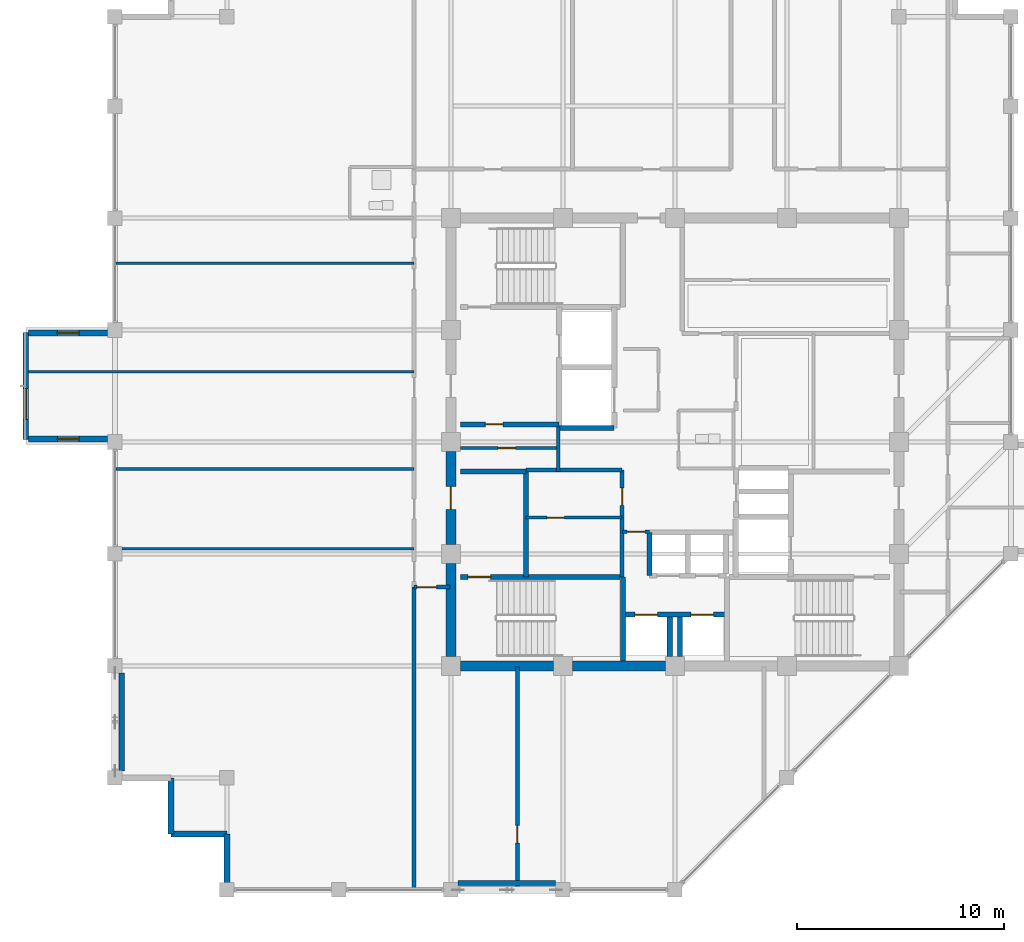
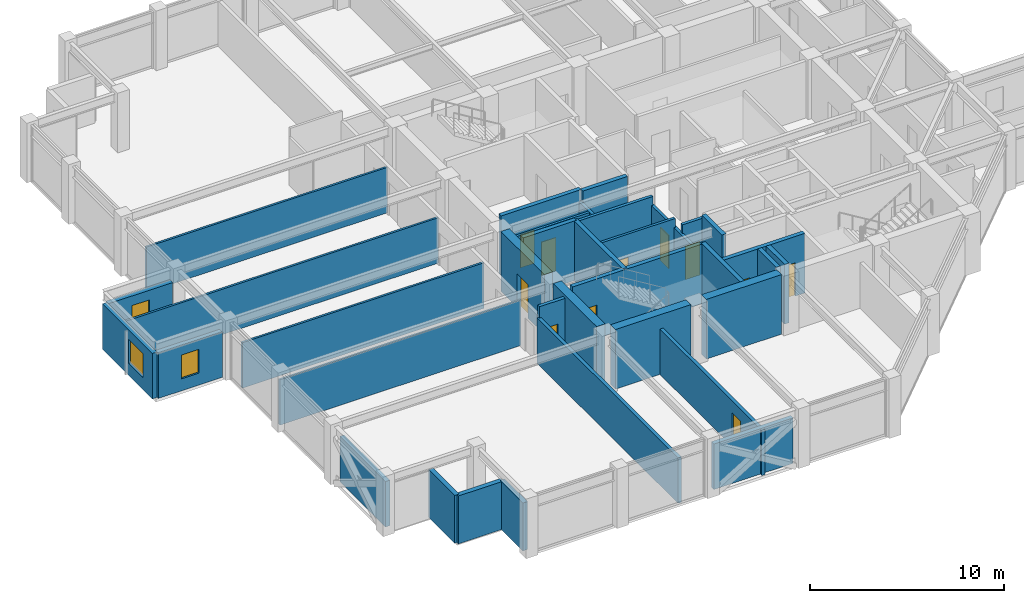
# One storey, part 25 of 31: 35 walls, 11 doors, 3 windows, 14 openings.
"""IFC4 building model written with IfcOpenShell, lengths in metres."""

from ifc_helpers import new_model, si_unit, direction, frame, frame_2d, origin, place, context, subcontext, project, spatial, rectangle, extrude, material, layer, layer_set, type_object, element, fill, save


model = new_model("IFC4")

# Units and contexts
model_context = context("Model", 3, precision=1e-05, world=origin(), true_north=direction((0.0, 1.0)))
body_context = subcontext(model_context, "Body", "Model", "MODEL_VIEW")
ifc_project = project(units=[si_unit("LENGTHUNIT", "METRE"), si_unit("AREAUNIT", "SQUARE_METRE"), si_unit("VOLUMEUNIT", "CUBIC_METRE"), si_unit("PLANEANGLEUNIT", "RADIAN"), si_unit("MASSUNIT", "GRAM", prefix="KILO")], contexts=[model_context])

# Site, building, storey
site_placement = place(None, origin())
site = spatial("IfcSite", under=ifc_project, at=site_placement, CompositionType="ELEMENT")
building_placement = place(site_placement, origin())
building = spatial("IfcBuilding", under=site, at=building_placement, Name="Surkhivell Harbour Commons", CompositionType="ELEMENT")
storey_placement = place(building_placement, frame((0.0, 0.0, 318.75)))
storey = spatial("IfcBuildingStorey", under=building, at=storey_placement, Name="L83", CompositionType="ELEMENT", Elevation=318.75)

# Walls
ifc_material_1 = material(Name="Concrete C50/60", Category="concrete")
ifc_layer_1 = layer(ifc_material_1, 0.5)
ifc_layer_set_1 = layer_set([ifc_layer_1], Name="Concrete C50/60")
wall_type_1 = type_object("IfcWallType", Name="WAL-CORE-500", PredefinedType="SHEAR", material=ifc_layer_set_1)
for number, where, z_axis, x_axis, name in (
    (1, (-10.340087890625, -10.800048828125, 0.0), (0.0, 0.0, 1.0), (1.0, 0.0, 0.0), "L83 Core Shear Wall South 1"),
    (2, (-10.800048828125, -10.340087890625, 0.0), (0.0, 0.0, 1.0), (0.0, 1.0, 0.0), "L83 Core Shear Wall West 1"),
    (3, (-4.93994140625, -10.800048828125, 0.0), (0.0, 0.0, 1.0), (1.0, 0.0, 0.0), "L83 Core Shear Wall South 2"),
):
    element("IfcWall", number, at=place(storey_placement, frame(where, z_axis=z_axis, x_axis=x_axis)), inside=storey, type_object=wall_type_1, Name=name, PredefinedType="SHEAR", context=body_context, shape_type="SweptSolid", body=[
        extrude(rectangle(XDim=4.47998046875, YDim=0.5, at=frame_2d((2.239990234375, 0.0))), origin(), (0.0, 0.0, 1.0), 3.75),
    ])

# Wall, opening, door
wall_1_placement = place(storey_placement, frame((-10.800048828125, -4.93994140625, 0.0), z_axis=(0.0, 0.0, 1.0), x_axis=(0.0, 1.0, 0.0)))
wall_1 = element("IfcWall", 4, at=wall_1_placement, inside=storey, type_object=wall_type_1, Name="L83 Core Shear Wall West 2", PredefinedType="SHEAR", context=body_context, shape_type="SweptSolid", body=[
    extrude(rectangle(XDim=4.47998046875, YDim=0.5, at=frame_2d((2.239990234375, 0.0))), origin(), (0.0, 0.0, 1.0), 3.75),
])
opening_1_placement = place(wall_1_placement, frame((1.68994140625, 0.0, 0.0)))
opening_1 = element("IfcOpeningElement", 5, at=opening_1_placement, cuts=wall_1, Name="Opening ID-2", PredefinedType="OPENING", context=body_context, shape_type="SweptSolid", body=[
    extrude(rectangle(XDim=1.10009765625, YDim=2.10009765625, at=frame_2d((0.550048828125, 1.050048828125))), frame((0.0, 0.260009765625, 0.0), z_axis=(0.0, -1.0, 0.0), x_axis=(1.0, 0.0, 0.0)), (0.0, 0.0, 1.0), 0.52001953125),
])
ifc_material_2 = material(Name="Hardwood-veneered fire-rated door leaf", Category="wood")
door_type_1 = type_object("IfcDoorType", Name="DOR-FD60-1100", OperationType="NOTDEFINED", PredefinedType="DOOR", material=ifc_material_2)
door_1_placement = place(opening_1_placement, origin())
door_1 = element("IfcDoor", 6, at=door_1_placement, inside=storey, type_object=door_type_1, Name="L83 Stair 3 Lobby Corridor Door", OperationType="SINGLE_SWING_LEFT", OverallHeight=2.10009765625, OverallWidth=1.10009765625, PredefinedType="DOOR", context=body_context, shape_type="SweptSolid", body=[
    extrude(rectangle(XDim=1.10009765625, YDim=2.10009765625, at=frame_2d((0.550048828125, 1.050048828125))), frame((0.0, 0.02490234375, 0.0), z_axis=(0.0, -1.0, 0.0), x_axis=(1.0, 0.0, 0.0)), (0.0, 0.0, 1.0), 0.050048828125),
])
fill(opening_1, door_1)

# Walls
ifc_material_3 = material(Name="Pale-metal insulated precast concrete C45/55", Category="concrete")
ifc_layer_2 = layer(ifc_material_3, 0.260009765625)
ifc_layer_set_2 = layer_set([ifc_layer_2], Name="Pale-metal insulated precast concrete C45/55")
wall_type_2 = type_object("IfcWallType", Name="WAL-EXT-MTL260", PredefinedType="STANDARD", material=ifc_layer_set_2)
wall_2_placement = place(storey_placement, frame((-10.451904296875, -21.264892578125, 0.0), z_axis=(0.0, 0.0, 1.0), x_axis=(1.0, 0.0, 0.0)))
element("IfcWall", 7, at=wall_2_placement, inside=storey, type_object=wall_type_2, Name="L83 Braced-Bay Insulated Spandrel Backing S", PredefinedType="STANDARD", context=body_context, shape_type="SweptSolid", body=[
    extrude(rectangle(XDim=4.703857421875, YDim=0.260009765625, at=frame_2d((2.35205078125, 0.0))), origin(), (0.0, 0.0, 1.0), 2.85693359375),
])
wall_3_placement = place(storey_placement, frame((-26.6650390625, -15.85205078125, 0.0), z_axis=(0.0, 0.0, 1.0), x_axis=(0.0, 1.0, 0.0)))
element("IfcWall", 8, at=wall_3_placement, inside=storey, type_object=wall_type_2, Name="L83 Braced-Bay Insulated Spandrel Backing W", PredefinedType="STANDARD", context=body_context, shape_type="SweptSolid", body=[
    extrude(rectangle(XDim=4.7041015625, YDim=0.260009765625, at=frame_2d((2.35205078125, 0.0))), origin(), (0.0, 0.0, 1.0), 2.85693359375),
])

# Wall, opening, window
ifc_material_4 = material(Name="Terracotta-clad reinforced concrete C45/55", Category="masonry")
ifc_layer_3 = layer(ifc_material_4, 0.280029296875)
ifc_layer_set_3 = layer_set([ifc_layer_3], Name="Terracotta-clad reinforced concrete C45/55")
wall_type_3 = type_object("IfcWallType", Name="WAL-EXT-TER280", PredefinedType="STANDARD", material=ifc_layer_set_3)
wall_4_placement = place(storey_placement, frame((-31.300048828125, 5.280029296875, 0.0), z_axis=(0.0, 0.0, 1.0), x_axis=(0.0, -1.0, 0.0)))
wall_4 = element("IfcWall", 9, at=wall_4_placement, inside=storey, type_object=wall_type_3, Name="L83 Coloured Box Front Wall 02", PredefinedType="STANDARD", context=body_context, shape_type="SweptSolid", body=[
    extrude(rectangle(XDim=5.159912109375, YDim=0.280029296875, at=frame_2d((2.580078125, 0.0))), origin(), (0.0, 0.0, 1.0), 2.85693359375),
])
opening_2_placement = place(wall_4_placement, frame((2.68994140625, 0.0, 0.75)))
opening_2 = element("IfcOpeningElement", 10, at=opening_2_placement, cuts=wall_4, Name="Opening WN-13", PredefinedType="OPENING", context=body_context, shape_type="SweptSolid", body=[
    extrude(rectangle(XDim=1.5, YDim=1.5, at=frame_2d((0.75, 0.75))), frame((0.0, 0.14990234375, 0.0), z_axis=(0.0, -1.0, 0.0), x_axis=(1.0, 0.0, 0.0)), (0.0, 0.0, 1.0), 0.300048828125),
])
ifc_material_5 = material(Name="Thermal-break aluminium frame and double low-E glazing", Category="aluminium")
window_type_1 = type_object("IfcWindowType", Name="WIN-BOX-1500x1500", PartitioningType="SINGLE_PANEL", PredefinedType="WINDOW", material=ifc_material_5)
window_1_placement = place(opening_2_placement, origin())
window_1 = element("IfcWindow", 11, at=window_1_placement, inside=storey, type_object=window_type_1, Name="L83 Coloured Box Square Window 02-1", OverallHeight=1.5, OverallWidth=1.5, PartitioningType="SINGLE_PANEL", PredefinedType="WINDOW", context=body_context, shape_type="SweptSolid", body=[
    extrude(rectangle(XDim=1.5, YDim=1.5, at=frame_2d((0.75, 0.75))), frame((0.0, 0.030029296875, 0.0), z_axis=(0.0, -1.0, 0.0), x_axis=(1.0, 0.0, 0.0)), (0.0, 0.0, 1.0), 0.06005859375),
])
fill(opening_2, window_1)

wall_5_placement = place(storey_placement, frame((-31.159912109375, 0.139892578125, 0.0), z_axis=(0.0, 0.0, 1.0), x_axis=(1.0, 0.0, 0.0)))
wall_5 = element("IfcWall", 12, at=wall_5_placement, inside=storey, type_object=wall_type_3, Name="L83 Coloured Box Return Wall 02S", PredefinedType="STANDARD", context=body_context, shape_type="SweptSolid", body=[
    extrude(rectangle(XDim=3.805908203125, YDim=0.280029296875, at=frame_2d((1.90283203125, 0.0))), origin(), (0.0, 0.0, 1.0), 2.85693359375),
])
opening_3_placement = place(wall_5_placement, frame((1.3779296875, 0.0, 0.75)))
opening_3 = element("IfcOpeningElement", 13, at=opening_3_placement, cuts=wall_5, Name="Opening WN-11", PredefinedType="OPENING", context=body_context, shape_type="SweptSolid", body=[
    extrude(rectangle(XDim=1.050048828125, YDim=1.5, at=frame_2d((0.52490234375, 0.75))), frame((0.0, 0.14990234375, 0.0), z_axis=(0.0, -1.0, 0.0), x_axis=(1.0, 0.0, 0.0)), (0.0, 0.0, 1.0), 0.300048828125),
])
window_type_2 = type_object("IfcWindowType", Name="WIN-SER-1050x1500", PartitioningType="SINGLE_PANEL", PredefinedType="WINDOW", material=ifc_material_5)
window_2_placement = place(opening_3_placement, origin())
window_2 = element("IfcWindow", 14, at=window_2_placement, inside=storey, type_object=window_type_2, Name="L83 Coloured Box Return Window 02S", OverallHeight=1.5, OverallWidth=1.050048828125, PartitioningType="SINGLE_PANEL", PredefinedType="WINDOW", context=body_context, shape_type="SweptSolid", body=[
    extrude(rectangle(XDim=1.050048828125, YDim=1.5, at=frame_2d((0.52490234375, 0.75))), frame((0.0, 0.030029296875, 0.0), z_axis=(0.0, -1.0, 0.0), x_axis=(1.0, 0.0, 0.0)), (0.0, 0.0, 1.0), 0.06005859375),
])
fill(opening_3, window_2)

wall_6_placement = place(storey_placement, frame((-31.159912109375, 5.260009765625, 0.0), z_axis=(0.0, 0.0, 1.0), x_axis=(1.0, 0.0, 0.0)))
wall_6 = element("IfcWall", 15, at=wall_6_placement, inside=storey, type_object=wall_type_3, Name="L83 Coloured Box Return Wall 02N", PredefinedType="STANDARD", context=body_context, shape_type="SweptSolid", body=[
    extrude(rectangle(XDim=3.805908203125, YDim=0.280029296875, at=frame_2d((1.90283203125, 0.0))), origin(), (0.0, 0.0, 1.0), 2.85693359375),
])
opening_4_placement = place(wall_6_placement, frame((1.3779296875, 0.0, 0.75)))
opening_4 = element("IfcOpeningElement", 16, at=opening_4_placement, cuts=wall_6, Name="Opening WN-11", PredefinedType="OPENING", context=body_context, shape_type="SweptSolid", body=[
    extrude(rectangle(XDim=1.050048828125, YDim=1.5, at=frame_2d((0.52490234375, 0.75))), frame((0.0, 0.14990234375, 0.0), z_axis=(0.0, -1.0, 0.0), x_axis=(1.0, 0.0, 0.0)), (0.0, 0.0, 1.0), 0.300048828125),
])
window_3_placement = place(opening_4_placement, origin())
window_3 = element("IfcWindow", 17, at=window_3_placement, inside=storey, type_object=window_type_2, Name="L83 Coloured Box Return Window 02N", OverallHeight=1.5, OverallWidth=1.050048828125, PartitioningType="SINGLE_PANEL", PredefinedType="WINDOW", context=body_context, shape_type="SweptSolid", body=[
    extrude(rectangle(XDim=1.050048828125, YDim=1.5, at=frame_2d((0.52490234375, 0.75))), frame((0.0, 0.030029296875, 0.0), z_axis=(0.0, -1.0, 0.0), x_axis=(1.0, 0.0, 0.0)), (0.0, 0.0, 1.0), 0.06005859375),
])
fill(opening_4, window_3)

# Walls
for number, where, z_axis, x_axis, name in (
    (18, (-24.300048828125, -16.199951171875, 0.0), (0.0, 0.0, 1.0), (0.0, -1.0, 0.0), "L83 Serrated Corner Facade Wall 14"),
    (19, (-24.300048828125, -18.89990234375, 0.0), (0.0, 0.0, 1.0), (1.0, 0.0, 0.0), "L83 Serrated Corner Facade Wall 15"),
):
    element("IfcWall", number, at=place(storey_placement, frame(where, z_axis=z_axis, x_axis=x_axis)), inside=storey, type_object=wall_type_3, Name=name, PredefinedType="STANDARD", context=body_context, shape_type="SweptSolid", body=[
        extrude(rectangle(XDim=2.699951171875, YDim=0.280029296875, at=frame_2d((1.35009765625, 0.0))), origin(), (0.0, 0.0, 1.0), 3.012939453125),
    ])
wall_7_placement = place(storey_placement, frame((-21.60009765625, -18.89990234375, 0.0), z_axis=(0.0, 0.0, 1.0), x_axis=(0.0, -1.0, 0.0)))
element("IfcWall", 20, at=wall_7_placement, inside=storey, type_object=wall_type_3, Name="L83 Serrated Corner Facade Wall 16", PredefinedType="STANDARD", context=body_context, shape_type="SweptSolid", body=[
    extrude(rectangle(XDim=2.35205078125, YDim=0.280029296875, at=frame_2d((1.176025390625, 0.0))), origin(), (0.0, 0.0, 1.0), 3.012939453125),
])
ifc_material_6 = material(Name="Moisture-resistant acoustic stud partition", Category="other")
ifc_layer_4 = layer(ifc_material_6, 0.125)
ifc_layer_set_4 = layer_set([ifc_layer_4], Name="Moisture-resistant acoustic stud partition")
wall_type_4 = type_object("IfcWallType", Name="WAL-INT-125", PredefinedType="PARTITIONING", material=ifc_layer_set_4)
wall_8_placement = place(storey_placement, frame((-26.93994140625, -1.300048828125, 0.0), z_axis=(0.0, 0.0, 1.0), x_axis=(1.0, 0.0, 0.0)))
element("IfcWall", 21, at=wall_8_placement, inside=storey, type_object=wall_type_4, Name="L83 West Partition BDP1", PredefinedType="PARTITIONING", context=body_context, shape_type="SweptSolid", body=[
    extrude(rectangle(XDim=14.35986328125, YDim=0.125, at=frame_2d((7.179931640625, 0.0))), origin(), (0.0, 0.0, 1.0), 2.85693359375),
])
wall_9_placement = place(storey_placement, frame((-31.239990234375, 3.3798828125, 0.0), z_axis=(0.0, 0.0, 1.0), x_axis=(1.0, 0.0, 0.0)))
element("IfcWall", 22, at=wall_9_placement, inside=storey, type_object=wall_type_4, Name="L83 West Partition BDP2", PredefinedType="PARTITIONING", context=body_context, shape_type="SweptSolid", body=[
    extrude(rectangle(XDim=18.659912109375, YDim=0.125, at=frame_2d((9.330078125, 0.0))), origin(), (0.0, 0.0, 1.0), 2.85693359375),
])
for number, where, z_axis, x_axis, name in (
    (23, (-26.93994140625, -5.14990234375, 0.0), (0.0, 0.0, 1.0), (1.0, 0.0, 0.0), "L83 West Partition PBOT"),
    (24, (-26.93994140625, 8.610107421875, 0.0), (0.0, 0.0, 1.0), (1.0, 0.0, 0.0), "L83 West Partition PTOP"),
):
    element("IfcWall", number, at=place(storey_placement, frame(where, z_axis=z_axis, x_axis=x_axis)), inside=storey, type_object=wall_type_4, Name=name, PredefinedType="PARTITIONING", context=body_context, shape_type="SweptSolid", body=[
        extrude(rectangle(XDim=14.35986328125, YDim=0.125, at=frame_2d((7.179931640625, 0.0))), origin(), (0.0, 0.0, 1.0), 2.85693359375),
    ])

# Wall, opening, door
ifc_material_7 = material(Name="Twin-stud acoustic fireboard partition", Category="other")
ifc_layer_5 = layer(ifc_material_7, 0.14990234375)
ifc_layer_set_5 = layer_set([ifc_layer_5], Name="Twin-stud acoustic fireboard partition")
wall_type_5 = type_object("IfcWallType", Name="WAL-INT-150", PredefinedType="PARTITIONING", material=ifc_layer_set_5)
wall_10_placement = place(storey_placement, frame((-7.179931640625, -3.64990234375, 0.0), z_axis=(0.0, 0.0, 1.0), x_axis=(1.0, 0.0, 0.0)))
wall_10 = element("IfcWall", 25, at=wall_10_placement, inside=storey, type_object=wall_type_5, Name="L83 Core Cut C1 Partition", PredefinedType="PARTITIONING", context=body_context, shape_type="SweptSolid", body=[
    extrude(rectangle(XDim=4.6298828125, YDim=0.14990234375, at=frame_2d((2.31494140625, 0.0))), origin(), (0.0, 0.0, 1.0), 3.570068359375),
])
opening_5_placement = place(wall_10_placement, frame((1.0, 0.0, 0.0)))
opening_5 = element("IfcOpeningElement", 26, at=opening_5_placement, cuts=wall_10, Name="Opening ID-6", PredefinedType="OPENING", context=body_context, shape_type="SweptSolid", body=[
    extrude(rectangle(XDim=0.85009765625, YDim=2.10009765625, at=frame_2d((0.425048828125, 1.050048828125))), frame((0.0, 0.0849609375, 0.0), z_axis=(0.0, -1.0, 0.0), x_axis=(1.0, 0.0, 0.0)), (0.0, 0.0, 1.0), 0.169921875),
])
door_type_2 = type_object("IfcDoorType", Name="DOR-FD30-850", OperationType="NOTDEFINED", PredefinedType="DOOR", material=ifc_material_2)
door_2_placement = place(opening_5_placement, origin())
door_2 = element("IfcDoor", 27, at=door_2_placement, inside=storey, type_object=door_type_2, Name="L83 Cleaner Room Door", OperationType="SINGLE_SWING_LEFT", OverallHeight=2.10009765625, OverallWidth=0.85009765625, PredefinedType="DOOR", context=body_context, shape_type="SweptSolid", body=[
    extrude(rectangle(XDim=0.85009765625, YDim=2.10009765625, at=frame_2d((0.425048828125, 1.050048828125))), frame((0.0, 0.02490234375, 0.0), z_axis=(0.0, -1.0, 0.0), x_axis=(1.0, 0.0, 0.0)), (0.0, 0.0, 1.0), 0.050048828125),
])
fill(opening_5, door_2)

wall_11_placement = place(storey_placement, frame((-10.340087890625, -0.2900390625, 0.0), z_axis=(0.0, 0.0, 1.0), x_axis=(1.0, 0.0, 0.0)))
wall_11 = element("IfcWall", 28, at=wall_11_placement, inside=storey, type_object=wall_type_5, Name="L83 West Core Horizontal Cut", PredefinedType="PARTITIONING", context=body_context, shape_type="SweptSolid", body=[
    extrude(rectangle(XDim=4.719970703125, YDim=0.14990234375, at=frame_2d((2.35986328125, 0.0))), origin(), (0.0, 0.0, 1.0), 3.012939453125),
])
opening_6_placement = place(wall_11_placement, frame((1.800048828125, 0.0, 0.0)))
opening_6 = element("IfcOpeningElement", 29, at=opening_6_placement, cuts=wall_11, Name="Opening ID-6", PredefinedType="OPENING", context=body_context, shape_type="SweptSolid", body=[
    extrude(rectangle(XDim=0.85009765625, YDim=2.10009765625, at=frame_2d((0.425048828125, 1.050048828125))), frame((0.0, 0.0849609375, 0.0), z_axis=(0.0, -1.0, 0.0), x_axis=(1.0, 0.0, 0.0)), (0.0, 0.0, 1.0), 0.169921875),
])
door_3_placement = place(opening_6_placement, origin())
door_3 = element("IfcDoor", 30, at=door_3_placement, inside=storey, type_object=door_type_2, Name="L83 West Music Pod Door", OperationType="SINGLE_SWING_RIGHT", OverallHeight=2.10009765625, OverallWidth=0.85009765625, PredefinedType="DOOR", context=body_context, shape_type="SweptSolid", body=[
    extrude(rectangle(XDim=0.85009765625, YDim=2.10009765625, at=frame_2d((0.425048828125, 1.050048828125))), frame((0.0, 0.02490234375, 0.0), z_axis=(0.0, -1.0, 0.0), x_axis=(1.0, 0.0, 0.0)), (0.0, 0.0, 1.0), 0.050048828125),
])
fill(opening_6, door_3)

ifc_material_8 = material(Name="High-density acoustic blockwork fire partition", Category="masonry")
ifc_layer_6 = layer(ifc_material_8, 0.175048828125)
ifc_layer_set_6 = layer_set([ifc_layer_6], Name="High-density acoustic blockwork fire partition")
wall_type_6 = type_object("IfcWallType", Name="WAL-INT-175", PredefinedType="PARTITIONING", material=ifc_layer_set_6)
wall_12_placement = place(storey_placement, frame((-2.550048828125, -6.510009765625, 0.0), z_axis=(0.0, 0.0, 1.0), x_axis=(0.0, 1.0, 0.0)))
wall_12 = element("IfcWall", 31, at=wall_12_placement, inside=storey, type_object=wall_type_6, Name="L83 Core Service Bay East Wall", PredefinedType="PARTITIONING", context=body_context, shape_type="SweptSolid", body=[
    extrude(rectangle(XDim=5.159912109375, YDim=0.175048828125, at=frame_2d((2.580078125, 0.0))), origin(), (0.0, 0.0, 1.0), 3.012939453125),
])
opening_7_placement = place(wall_12_placement, frame((3.449951171875, 0.0, 0.0)))
opening_7 = element("IfcOpeningElement", 32, at=opening_7_placement, cuts=wall_12, Name="Opening ID-6", PredefinedType="OPENING", context=body_context, shape_type="SweptSolid", body=[
    extrude(rectangle(XDim=0.85009765625, YDim=2.10009765625, at=frame_2d((0.425048828125, 1.050048828125))), frame((0.0, 0.097412109375, 0.0), z_axis=(0.0, -1.0, 0.0), x_axis=(1.0, 0.0, 0.0)), (0.0, 0.0, 1.0), 0.195068359375),
])
door_4_placement = place(opening_7_placement, origin())
door_4 = element("IfcDoor", 33, at=door_4_placement, inside=storey, type_object=door_type_2, Name="L83 Core Seminar Door", OperationType="SINGLE_SWING_LEFT", OverallHeight=2.10009765625, OverallWidth=0.85009765625, PredefinedType="DOOR", context=body_context, shape_type="SweptSolid", body=[
    extrude(rectangle(XDim=0.85009765625, YDim=2.10009765625, at=frame_2d((0.425048828125, 1.050048828125))), frame((0.0, 0.02490234375, 0.0), z_axis=(0.0, -1.0, 0.0), x_axis=(1.0, 0.0, 0.0)), (0.0, 0.0, 1.0), 0.050048828125),
])
fill(opening_7, door_4)

# Walls
wall_13_placement = place(storey_placement, frame((-7.179931640625, -1.35009765625, 0.0), z_axis=(0.0, 0.0, 1.0), x_axis=(1.0, 0.0, 0.0)))
element("IfcWall", 34, at=wall_13_placement, inside=storey, type_object=wall_type_6, Name="L83 Core Service Bay North Wall", PredefinedType="PARTITIONING", context=body_context, shape_type="SweptSolid", body=[
    extrude(rectangle(XDim=4.6298828125, YDim=0.175048828125, at=frame_2d((2.31494140625, 0.0))), origin(), (0.0, 0.0, 1.0), 3.570068359375),
])
wall_14_placement = place(storey_placement, frame((-5.6201171875, -1.419921875, 0.0), z_axis=(0.0, 0.0, 1.0), x_axis=(0.0, 1.0, 0.0)))
element("IfcWall", 35, at=wall_14_placement, inside=storey, type_object=wall_type_6, Name="L83 West Core Bay East Wall", PredefinedType="PARTITIONING", context=body_context, shape_type="SweptSolid", body=[
    extrude(rectangle(XDim=2.139892578125, YDim=0.175048828125, at=frame_2d((1.06982421875, 0.0))), origin(), (0.0, 0.0, 1.0), 3.012939453125),
])

# Wall, opening, door
wall_15_placement = place(storey_placement, frame((-2.52001953125, -4.320068359375, 0.0), z_axis=(0.0, 0.0, 1.0), x_axis=(1.0, 0.0, 0.0)))
wall_15 = element("IfcWall", 36, at=wall_15_placement, inside=storey, type_object=wall_type_6, Name="L83 High-Rise Lobby North Portal Wall", PredefinedType="PARTITIONING", context=body_context, shape_type="SweptSolid", body=[
    extrude(rectangle(XDim=1.300048828125, YDim=0.175048828125, at=frame_2d((0.64990234375, 0.0))), origin(), (0.0, 0.0, 1.0), 3.570068359375),
])
opening_8_placement = place(wall_15_placement, frame((0.219970703125, 0.0, 0.0)))
opening_8 = element("IfcOpeningElement", 37, at=opening_8_placement, cuts=wall_15, Name="Opening ID-6", PredefinedType="OPENING", context=body_context, shape_type="SweptSolid", body=[
    extrude(rectangle(XDim=0.85009765625, YDim=2.10009765625, at=frame_2d((0.425048828125, 1.050048828125))), frame((0.0, 0.097412109375, 0.0), z_axis=(0.0, -1.0, 0.0), x_axis=(1.0, 0.0, 0.0)), (0.0, 0.0, 1.0), 0.195068359375),
])
door_5_placement = place(opening_8_placement, origin())
door_5 = element("IfcDoor", 38, at=door_5_placement, inside=storey, type_object=door_type_2, Name="L83 High-Rise Lift Lobby North Door", OperationType="SINGLE_SWING_LEFT", OverallHeight=2.10009765625, OverallWidth=0.85009765625, PredefinedType="DOOR", context=body_context, shape_type="SweptSolid", body=[
    extrude(rectangle(XDim=0.85009765625, YDim=2.10009765625, at=frame_2d((0.425048828125, 1.050048828125))), frame((0.0, 0.02490234375, 0.0), z_axis=(0.0, -1.0, 0.0), x_axis=(1.0, 0.0, 0.0)), (0.0, 0.0, 1.0), 0.050048828125),
])
fill(opening_8, door_5)

ifc_material_9 = material(Name="Autoclaved aerated concrete blockwork and fire plaster", Category="masonry")
ifc_layer_7 = layer(ifc_material_9, 0.199951171875)
ifc_layer_set_7 = layer_set([ifc_layer_7], Name="Autoclaved aerated concrete blockwork and fire plaster")
wall_type_7 = type_object("IfcWallType", Name="WAL-INT-200", PredefinedType="PARTITIONING", material=ifc_layer_set_7)
wall_16_placement = place(storey_placement, frame((-7.60009765625, -21.5400390625, 0.0), z_axis=(0.0, 0.0, 1.0), x_axis=(0.0, 1.0, 0.0)))
wall_16 = element("IfcWall", 39, at=wall_16_placement, inside=storey, type_object=wall_type_7, Name="L83 South Wing Mid Partition", PredefinedType="PARTITIONING", context=body_context, shape_type="SweptSolid", body=[
    extrude(rectangle(XDim=10.68994140625, YDim=0.199951171875, at=frame_2d((5.344970703125, 0.0))), origin(), (0.0, 0.0, 1.0), 2.85693359375),
])
opening_9_placement = place(wall_16_placement, frame((2.199951171875, 0.0, 0.0)))
opening_9 = element("IfcOpeningElement", 40, at=opening_9_placement, cuts=wall_16, Name="Opening ID-6", PredefinedType="OPENING", context=body_context, shape_type="SweptSolid", body=[
    extrude(rectangle(XDim=0.85009765625, YDim=2.10009765625, at=frame_2d((0.425048828125, 1.050048828125))), frame((0.0, 0.10986328125, 0.0), z_axis=(0.0, -1.0, 0.0), x_axis=(1.0, 0.0, 0.0)), (0.0, 0.0, 1.0), 0.219970703125),
])
door_6_placement = place(opening_9_placement, origin())
door_6 = element("IfcDoor", 41, at=door_6_placement, inside=storey, type_object=door_type_2, Name="L83 South Seminar Door", OperationType="SINGLE_SWING_RIGHT", OverallHeight=2.10009765625, OverallWidth=0.85009765625, PredefinedType="DOOR", context=body_context, shape_type="SweptSolid", body=[
    extrude(rectangle(XDim=0.85009765625, YDim=2.10009765625, at=frame_2d((0.425048828125, 1.050048828125))), frame((0.0, 0.02490234375, 0.0), z_axis=(0.0, -1.0, 0.0), x_axis=(1.0, 0.0, 0.0)), (0.0, 0.0, 1.0), 0.050048828125),
])
fill(opening_9, door_6)

# Wall
wall_17_placement = place(storey_placement, frame((-12.580078125, -21.5400390625, 0.0), z_axis=(0.0, 0.0, 1.0), x_axis=(0.0, 1.0, 0.0)))
element("IfcWall", 42, at=wall_17_placement, inside=storey, type_object=wall_type_7, Name="L83 South Hall West Divider", PredefinedType="PARTITIONING", context=body_context, shape_type="SweptSolid", body=[
    extrude(rectangle(XDim=14.5400390625, YDim=0.199951171875, at=frame_2d((7.27001953125, 0.0))), origin(), (0.0, 0.0, 1.0), 2.85693359375),
])

# Wall, opening, door
wall_18_placement = place(storey_placement, frame((-12.580078125, -7.0, 0.0), z_axis=(0.0, 0.0, 1.0), x_axis=(1.0, 0.0, 0.0)))
wall_18 = element("IfcWall", 43, at=wall_18_placement, inside=storey, type_object=wall_type_7, Name="L83 West Corridor South Portal Wall", PredefinedType="PARTITIONING", context=body_context, shape_type="SweptSolid", body=[
    extrude(rectangle(XDim=1.72998046875, YDim=0.199951171875, at=frame_2d((0.864990234375, 0.0))), origin(), (0.0, 0.0, 1.0), 3.570068359375),
])
opening_10_placement = place(wall_18_placement, frame((0.139892578125, 0.0, 0.0)))
opening_10 = element("IfcOpeningElement", 44, at=opening_10_placement, cuts=wall_18, Name="Opening ID-4", PredefinedType="OPENING", context=body_context, shape_type="SweptSolid", body=[
    extrude(rectangle(XDim=0.949951171875, YDim=2.10009765625, at=frame_2d((0.47509765625, 1.050048828125))), frame((0.0, 0.10986328125, 0.0), z_axis=(0.0, -1.0, 0.0), x_axis=(1.0, 0.0, 0.0)), (0.0, 0.0, 1.0), 0.219970703125),
])
door_type_3 = type_object("IfcDoorType", Name="DOR-FD60-950", OperationType="NOTDEFINED", PredefinedType="DOOR", material=ifc_material_2)
door_7_placement = place(opening_10_placement, origin())
door_7 = element("IfcDoor", 45, at=door_7_placement, inside=storey, type_object=door_type_3, Name="L83 South Lounge Door", OperationType="SINGLE_SWING_RIGHT", OverallHeight=2.10009765625, OverallWidth=0.949951171875, PredefinedType="DOOR", context=body_context, shape_type="SweptSolid", body=[
    extrude(rectangle(XDim=0.949951171875, YDim=2.10009765625, at=frame_2d((0.47509765625, 1.050048828125))), frame((0.0, 0.02490234375, 0.0), z_axis=(0.0, -1.0, 0.0), x_axis=(1.0, 0.0, 0.0)), (0.0, 0.0, 1.0), 0.050048828125),
])
fill(opening_10, door_7)

ifc_layer_8 = layer(ifc_material_1, 0.25)
ifc_layer_set_8 = layer_set([ifc_layer_8], Name="Concrete C50/60")
wall_type_8 = type_object("IfcWallType", Name="WAL-SHAFT-250", PredefinedType="SHEAR", material=ifc_layer_set_8)
wall_19_placement = place(storey_placement, frame((-10.340087890625, 0.85009765625, 0.0), z_axis=(0.0, 0.0, 1.0), x_axis=(1.0, 0.0, 0.0)))
wall_19 = element("IfcWall", 46, at=wall_19_placement, inside=storey, type_object=wall_type_8, Name="L83 Firefighting Lobby 1 South Wall", PredefinedType="SHEAR", context=body_context, shape_type="SweptSolid", body=[
    extrude(rectangle(XDim=4.760009765625, YDim=0.25, at=frame_2d((2.3798828125, 0.0))), origin(), (0.0, 0.0, 1.0), 3.75),
])
opening_11_placement = place(wall_19_placement, frame((1.199951171875, 0.0, 0.0)))
opening_11 = element("IfcOpeningElement", 47, at=opening_11_placement, cuts=wall_19, Name="Opening ID-6", PredefinedType="OPENING", context=body_context, shape_type="SweptSolid", body=[
    extrude(rectangle(XDim=0.85009765625, YDim=2.10009765625, at=frame_2d((0.425048828125, 1.050048828125))), frame((0.0, 0.135009765625, 0.0), z_axis=(0.0, -1.0, 0.0), x_axis=(1.0, 0.0, 0.0)), (0.0, 0.0, 1.0), 0.27001953125),
])
door_8_placement = place(opening_11_placement, origin())
door_8 = element("IfcDoor", 48, at=door_8_placement, inside=storey, type_object=door_type_2, Name="L83 West Reading Alcove Door", OperationType="SINGLE_SWING_LEFT", OverallHeight=2.10009765625, OverallWidth=0.85009765625, PredefinedType="DOOR", context=body_context, shape_type="SweptSolid", body=[
    extrude(rectangle(XDim=0.85009765625, YDim=2.10009765625, at=frame_2d((0.425048828125, 1.050048828125))), frame((0.0, 0.02490234375, 0.0), z_axis=(0.0, -1.0, 0.0), x_axis=(1.0, 0.0, 0.0)), (0.0, 0.0, 1.0), 0.050048828125),
])
fill(opening_11, door_8)

# Walls
for number, where, z_axis, x_axis, name in (
    (49, (-0.25, -10.35009765625, 0.0), (0.0, 0.0, 1.0), (0.0, 1.0, 0.0), "L83 High-Rise Side Wall S"),
    (50, (0.25, -10.35009765625, 0.0), (0.0, 0.0, 1.0), (0.0, 1.0, 0.0), "L83 High-Rise Side Wall S"),
):
    element("IfcWall", number, at=place(storey_placement, frame(where, z_axis=z_axis, x_axis=x_axis)), inside=storey, type_object=wall_type_8, Name=name, PredefinedType="SHEAR", context=body_context, shape_type="SweptSolid", body=[
        extrude(rectangle(XDim=1.91015625, YDim=0.25, at=frame_2d((0.955078125, 0.0))), origin(), (0.0, 0.0, 1.0), 3.75),
    ])
wall_20_placement = place(storey_placement, frame((-1.219970703125, -6.43994140625, 0.0), z_axis=(0.0, 0.0, 1.0), x_axis=(0.0, 1.0, 0.0)))
element("IfcWall", 51, at=wall_20_placement, inside=storey, type_object=wall_type_8, Name="L83 High-Rise Passage East Shaft Wall", PredefinedType="SHEAR", context=body_context, shape_type="SweptSolid", body=[
    extrude(rectangle(XDim=2.079833984375, YDim=0.25, at=frame_2d((1.0400390625, 0.0))), origin(), (0.0, 0.0, 1.0), 3.75),
])

# Wall, openings, doors
wall_21_placement = place(storey_placement, frame((-2.47998046875, -8.320068359375, 0.0), z_axis=(0.0, 0.0, 1.0), x_axis=(1.0, 0.0, 0.0)))
wall_21 = element("IfcWall", 52, at=wall_21_placement, inside=storey, type_object=wall_type_8, Name="L83 High-Rise South Front Shaft Wall", PredefinedType="SHEAR", context=body_context, shape_type="SweptSolid", body=[
    extrude(rectangle(XDim=4.929931640625, YDim=0.25, at=frame_2d((2.46484375, 0.0))), origin(), (0.0, 0.0, 1.0), 3.75),
])
opening_12_placement = place(wall_21_placement, frame((0.550048828125, 0.0, 0.0)))
opening_12 = element("IfcOpeningElement", 53, at=opening_12_placement, cuts=wall_21, Name="Opening LD-1", PredefinedType="OPENING", context=body_context, shape_type="SweptSolid", body=[
    extrude(rectangle(XDim=1.10009765625, YDim=2.10009765625, at=frame_2d((0.550048828125, 1.050048828125))), frame((0.0, 0.135009765625, 0.0), z_axis=(0.0, -1.0, 0.0), x_axis=(1.0, 0.0, 0.0)), (0.0, 0.0, 1.0), 0.27001953125),
])
opening_13_placement = place(wall_21_placement, frame((3.25, 0.0, 0.0)))
opening_13 = element("IfcOpeningElement", 54, at=opening_13_placement, cuts=wall_21, Name="Opening LD-1", PredefinedType="OPENING", context=body_context, shape_type="SweptSolid", body=[
    extrude(rectangle(XDim=1.10009765625, YDim=2.10009765625, at=frame_2d((0.550048828125, 1.050048828125))), frame((0.0, 0.135009765625, 0.0), z_axis=(0.0, -1.0, 0.0), x_axis=(1.0, 0.0, 0.0)), (0.0, 0.0, 1.0), 0.27001953125),
])
ifc_material_10 = material(Name="Brushed stainless steel S355", Category="steel")
door_type_4 = type_object("IfcDoorType", Name="DOR-LD-1100", OperationType="SLIDING_TO_LEFT", PredefinedType="DOOR", material=ifc_material_10)
door_9_placement = place(opening_12_placement, origin())
door_9 = element("IfcDoor", 55, at=door_9_placement, inside=storey, type_object=door_type_4, Name="L83 Lift Landing Door LD-PH3", OperationType="SLIDING_TO_LEFT", OverallHeight=2.10009765625, OverallWidth=1.10009765625, PredefinedType="DOOR", context=body_context, shape_type="SweptSolid", body=[
    extrude(rectangle(XDim=1.10009765625, YDim=2.10009765625, at=frame_2d((0.550048828125, 1.050048828125))), frame((0.0, 0.02490234375, 0.0), z_axis=(0.0, -1.0, 0.0), x_axis=(1.0, 0.0, 0.0)), (0.0, 0.0, 1.0), 0.050048828125),
])
fill(opening_12, door_9)
door_10_placement = place(opening_13_placement, origin())
door_10 = element("IfcDoor", 56, at=door_10_placement, inside=storey, type_object=door_type_4, Name="L83 Lift Landing Door LD-PH4", OperationType="SLIDING_TO_LEFT", OverallHeight=2.10009765625, OverallWidth=1.10009765625, PredefinedType="DOOR", context=body_context, shape_type="SweptSolid", body=[
    extrude(rectangle(XDim=1.10009765625, YDim=2.10009765625, at=frame_2d((0.550048828125, 1.050048828125))), frame((0.0, 0.02490234375, 0.0), z_axis=(0.0, -1.0, 0.0), x_axis=(1.0, 0.0, 0.0)), (0.0, 0.0, 1.0), 0.050048828125),
])
fill(opening_13, door_10)

# Walls
wall_22_placement = place(storey_placement, frame((-2.510009765625, -10.550048828125, 0.0), z_axis=(0.0, 0.0, 1.0), x_axis=(0.0, 1.0, 0.0)))
element("IfcWall", 57, at=wall_22_placement, inside=storey, type_object=wall_type_8, Name="L83 Stair ST3 East Shear Wall", PredefinedType="SHEAR", context=body_context, shape_type="SweptSolid", body=[
    extrude(rectangle(XDim=4.0400390625, YDim=0.25, at=frame_2d((2.02001953125, 0.0))), origin(), (0.0, 0.0, 1.0), 3.75),
])
wall_23_placement = place(storey_placement, frame((-7.179931640625, -6.510009765625, 0.0), z_axis=(0.0, 0.0, 1.0), x_axis=(0.0, 1.0, 0.0)))
element("IfcWall", 58, at=wall_23_placement, inside=storey, type_object=wall_type_8, Name="L83 Stair 3 Lobby East Wall", PredefinedType="SHEAR", context=body_context, shape_type="SweptSolid", body=[
    extrude(rectangle(XDim=5.090087890625, YDim=0.25, at=frame_2d((2.544921875, 0.0))), origin(), (0.0, 0.0, 1.0), 3.75),
])
wall_24_placement = place(storey_placement, frame((-10.340087890625, -1.419921875, 0.0), z_axis=(0.0, 0.0, 1.0), x_axis=(1.0, 0.0, 0.0)))
element("IfcWall", 59, at=wall_24_placement, inside=storey, type_object=wall_type_8, Name="L83 Stair 3 Lobby North Wall", PredefinedType="SHEAR", context=body_context, shape_type="SweptSolid", body=[
    extrude(rectangle(XDim=3.16015625, YDim=0.25, at=frame_2d((1.580078125, 0.0))), origin(), (0.0, 0.0, 1.0), 3.75),
])

# Wall, opening, door
wall_25_placement = place(storey_placement, frame((-10.340087890625, -6.510009765625, 0.0), z_axis=(0.0, 0.0, 1.0), x_axis=(1.0, 0.0, 0.0)))
wall_25 = element("IfcWall", 60, at=wall_25_placement, inside=storey, type_object=wall_type_8, Name="L83 Stair ST3 North Shear Wall", PredefinedType="SHEAR", context=body_context, shape_type="SweptSolid", body=[
    extrude(rectangle(XDim=7.7001953125, YDim=0.25, at=frame_2d((3.85009765625, 0.0))), origin(), (0.0, 0.0, 1.0), 3.75),
])
opening_14_placement = place(wall_25_placement, frame((0.35009765625, 0.0, 0.0)))
opening_14 = element("IfcOpeningElement", 61, at=opening_14_placement, cuts=wall_25, Name="Opening ID-2", PredefinedType="OPENING", context=body_context, shape_type="SweptSolid", body=[
    extrude(rectangle(XDim=1.10009765625, YDim=2.10009765625, at=frame_2d((0.550048828125, 1.050048828125))), frame((0.0, 0.135009765625, 0.0), z_axis=(0.0, -1.0, 0.0), x_axis=(1.0, 0.0, 0.0)), (0.0, 0.0, 1.0), 0.27001953125),
])
door_11_placement = place(opening_14_placement, origin())
door_11 = element("IfcDoor", 62, at=door_11_placement, inside=storey, type_object=door_type_1, Name="L83 Stair ST3 Exit Door", OperationType="SINGLE_SWING_RIGHT", OverallHeight=2.10009765625, OverallWidth=1.10009765625, PredefinedType="DOOR", context=body_context, shape_type="SweptSolid", body=[
    extrude(rectangle(XDim=1.10009765625, YDim=2.10009765625, at=frame_2d((0.550048828125, 1.050048828125))), frame((0.0, 0.02490234375, 0.0), z_axis=(0.0, -1.0, 0.0), x_axis=(1.0, 0.0, 0.0)), (0.0, 0.0, 1.0), 0.050048828125),
])
fill(opening_14, door_11)

# Wall
wall_26_placement = place(storey_placement, frame((-5.580078125, 0.679931640625, 0.0), z_axis=(0.0, 0.0, 1.0), x_axis=(1.0, 0.0, 0.0)))
element("IfcWall", 63, at=wall_26_placement, inside=storey, type_object=wall_type_8, Name="L83 SVL1 South Shaft Wall", PredefinedType="SHEAR", context=body_context, shape_type="SweptSolid", body=[
    extrude(rectangle(XDim=2.650146484375, YDim=0.25, at=frame_2d((1.3251953125, 0.0))), origin(), (0.0, 0.0, 1.0), 3.75),
])

save(model, "model.ifc")
